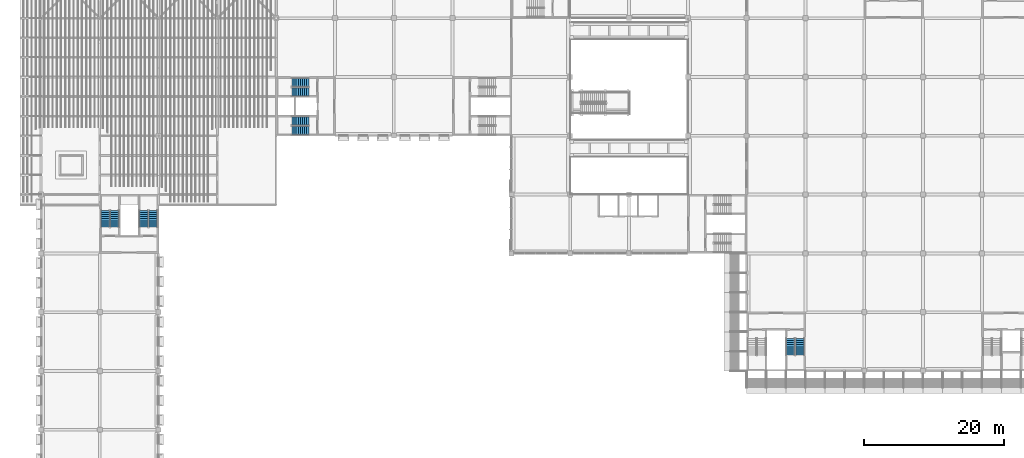
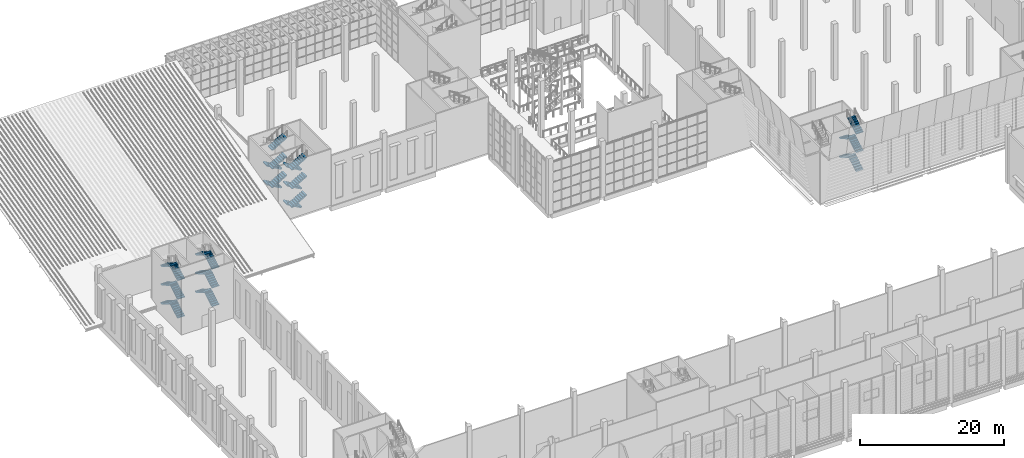
# One storey, part 55 of 114: 28 stair flights, 5 elements without a shape of their own.
"""IFC4 building model written with IfcOpenShell, lengths in metres."""

from ifc_helpers import new_model, si_unit, direction, frame, origin, place, context, subcontext, project, spatial, polyline, outline, extrude, material, type_object, element, aggregate, save


model = new_model("IFC4")

# Units and contexts
model_context = context("Model", 3, precision=1e-05, world=origin(), true_north=direction((0.0, 1.0)))
body_context = subcontext(model_context, "Body", "Model", "MODEL_VIEW")
ifc_project = project(units=[si_unit("LENGTHUNIT", "METRE"), si_unit("AREAUNIT", "SQUARE_METRE"), si_unit("VOLUMEUNIT", "CUBIC_METRE"), si_unit("PLANEANGLEUNIT", "RADIAN"), si_unit("MASSUNIT", "GRAM", prefix="KILO")], contexts=[model_context])

# Site, building, storey
site_placement = place(None, origin())
site = spatial("IfcSite", under=ifc_project, at=site_placement, CompositionType="ELEMENT")
building_placement = place(site_placement, origin())
building = spatial("IfcBuilding", under=site, at=building_placement, Name="Almond Square Museum", CompositionType="ELEMENT")
storey_placement = place(building_placement, frame((0.0, 0.0, 10.5)))
storey = spatial("IfcBuildingStorey", under=building, at=storey_placement, Name="L02", CompositionType="ELEMENT", Elevation=10.5)

# Stair, stair flights
ifc_material_1 = material(Name="Concrete C40/50", Category="concrete")
stair_type = type_object("IfcStairType", Name="Exit stair 54 risers of 176 mm", PredefinedType="HALF_TURN_STAIR", material=ifc_material_1)
stair_1_placement = place(storey_placement, origin())
stair_1 = element("IfcStair", 1, at=stair_1_placement, inside=storey, type_object=stair_type, Name="L02 stair H1-2", PredefinedType="HALF_TURN_STAIR")
ifc_material_2 = material(Name="Concrete C40/50", Category="concrete")
stair_flight_type = type_object("IfcStairFlightType", Name="Concrete flight", PredefinedType="STRAIGHT", material=ifc_material_2)
stair_flight_1_placement = place(storey_placement, frame((114.425048828125, 52.64990234375, 1.583251953125), z_axis=(0.0, 0.0, 1.0), x_axis=(0.0, 1.0, 0.0)))
stair_flight_1 = element("IfcStairFlight", 2, at=stair_flight_1_placement, type_object=stair_flight_type, Name="ST-02 flight 2", NumberOfRisers=9, NumberOfTreads=8, PredefinedType="STRAIGHT", RiserHeight=0.175925926, TreadLength=0.3, context=body_context, shape_type="SweptSolid", body=[
    extrude(outline(polyline([(0.0, 0.0), (0.0, 0.176025390625), (0.300048828125, 0.176025390625), (0.300048828125, 0.351806640625), (0.60009765625, 0.351806640625), (0.60009765625, 0.52783203125), (0.89990234375, 0.52783203125), (0.89990234375, 0.70361328125), (1.199951171875, 0.70361328125), (1.199951171875, 0.879638671875), (1.5, 0.879638671875), (1.5, 1.0556640625), (1.800048828125, 1.0556640625), (1.800048828125, 1.2314453125), (2.10009765625, 1.2314453125), (2.10009765625, 1.407470703125), (2.39990234375, 1.407470703125), (2.39990234375, 1.583251953125), (2.39990234375, 1.233642578125), (0.29638671875, 0.0), (0.0, 0.0)])), frame((0.0, 0.574951171875, 0.0), z_axis=(0.0, -1.0, 0.0), x_axis=(1.0, 0.0, 0.0)), (0.0, 0.0, 1.0), 1.14990234375),
])
stair_flight_2_placement = place(storey_placement, frame((113.074951171875, 55.050048828125, 3.166748046875), z_axis=(0.0, 0.0, 1.0), x_axis=(0.0, -1.0, 0.0)))
stair_flight_2 = element("IfcStairFlight", 3, at=stair_flight_2_placement, type_object=stair_flight_type, Name="ST-02 flight 3", NumberOfRisers=9, NumberOfTreads=8, PredefinedType="STRAIGHT", RiserHeight=0.175925926, TreadLength=0.3, context=body_context, shape_type="SweptSolid", body=[
    extrude(outline(polyline([(0.0, 0.0), (0.0, 0.176025390625), (0.300048828125, 0.176025390625), (0.300048828125, 0.351806640625), (0.60009765625, 0.351806640625), (0.60009765625, 0.52783203125), (0.89990234375, 0.52783203125), (0.89990234375, 0.70361328125), (1.199951171875, 0.70361328125), (1.199951171875, 0.879638671875), (1.5, 0.879638671875), (1.5, 1.0556640625), (1.800048828125, 1.0556640625), (1.800048828125, 1.2314453125), (2.10009765625, 1.2314453125), (2.10009765625, 1.407470703125), (2.39990234375, 1.407470703125), (2.39990234375, 1.583251953125), (2.39990234375, 1.233642578125), (0.29638671875, 0.0), (0.0, 0.0)])), frame((0.0, 0.574951171875, 0.0), z_axis=(0.0, -1.0, 0.0), x_axis=(1.0, 0.0, 0.0)), (0.0, 0.0, 1.0), 1.14990234375),
])
stair_flight_3_placement = place(storey_placement, frame((114.425048828125, 52.64990234375, 4.75), z_axis=(0.0, 0.0, 1.0), x_axis=(0.0, 1.0, 0.0)))
stair_flight_3 = element("IfcStairFlight", 4, at=stair_flight_3_placement, type_object=stair_flight_type, Name="ST-02 flight 4", NumberOfRisers=9, NumberOfTreads=8, PredefinedType="STRAIGHT", RiserHeight=0.175925926, TreadLength=0.3, context=body_context, shape_type="SweptSolid", body=[
    extrude(outline(polyline([(0.0, 0.0), (0.0, 0.176025390625), (0.300048828125, 0.176025390625), (0.300048828125, 0.351806640625), (0.60009765625, 0.351806640625), (0.60009765625, 0.52783203125), (0.89990234375, 0.52783203125), (0.89990234375, 0.70361328125), (1.199951171875, 0.70361328125), (1.199951171875, 0.879638671875), (1.5, 0.879638671875), (1.5, 1.0556640625), (1.800048828125, 1.0556640625), (1.800048828125, 1.2314453125), (2.10009765625, 1.2314453125), (2.10009765625, 1.407470703125), (2.39990234375, 1.407470703125), (2.39990234375, 1.583251953125), (2.39990234375, 1.233642578125), (0.29638671875, 0.0), (0.0, 0.0)])), frame((0.0, 0.574951171875, 0.0), z_axis=(0.0, -1.0, 0.0), x_axis=(1.0, 0.0, 0.0)), (0.0, 0.0, 1.0), 1.14990234375),
])
stair_flight_4_placement = place(storey_placement, frame((113.074951171875, 55.050048828125, 6.333251953125), z_axis=(0.0, 0.0, 1.0), x_axis=(0.0, -1.0, 0.0)))
stair_flight_4 = element("IfcStairFlight", 5, at=stair_flight_4_placement, type_object=stair_flight_type, Name="ST-02 flight 5", NumberOfRisers=9, NumberOfTreads=8, PredefinedType="STRAIGHT", RiserHeight=0.175925926, TreadLength=0.3, context=body_context, shape_type="SweptSolid", body=[
    extrude(outline(polyline([(0.0, 0.0), (0.0, 0.176025390625), (0.300048828125, 0.176025390625), (0.300048828125, 0.351806640625), (0.60009765625, 0.351806640625), (0.60009765625, 0.52783203125), (0.89990234375, 0.52783203125), (0.89990234375, 0.70361328125), (1.199951171875, 0.70361328125), (1.199951171875, 0.879638671875), (1.5, 0.879638671875), (1.5, 1.0556640625), (1.800048828125, 1.0556640625), (1.800048828125, 1.2314453125), (2.10009765625, 1.2314453125), (2.10009765625, 1.407470703125), (2.39990234375, 1.407470703125), (2.39990234375, 1.583251953125), (2.39990234375, 1.233642578125), (0.29638671875, 0.0), (0.0, 0.0)])), frame((0.0, 0.574951171875, 0.0), z_axis=(0.0, -1.0, 0.0), x_axis=(1.0, 0.0, 0.0)), (0.0, 0.0, 1.0), 1.14990234375),
])
stair_flight_5_placement = place(storey_placement, frame((114.425048828125, 52.64990234375, 7.916748046875), z_axis=(0.0, 0.0, 1.0), x_axis=(0.0, 1.0, 0.0)))
stair_flight_5 = element("IfcStairFlight", 6, at=stair_flight_5_placement, type_object=stair_flight_type, Name="ST-02 flight 6", NumberOfRisers=9, NumberOfTreads=8, PredefinedType="STRAIGHT", RiserHeight=0.175925926, TreadLength=0.3, context=body_context, shape_type="SweptSolid", body=[
    extrude(outline(polyline([(0.0, 0.0), (0.0, 0.176025390625), (0.300048828125, 0.176025390625), (0.300048828125, 0.351806640625), (0.60009765625, 0.351806640625), (0.60009765625, 0.52783203125), (0.89990234375, 0.52783203125), (0.89990234375, 0.70361328125), (1.199951171875, 0.70361328125), (1.199951171875, 0.879638671875), (1.5, 0.879638671875), (1.5, 1.0556640625), (1.800048828125, 1.0556640625), (1.800048828125, 1.2314453125), (2.10009765625, 1.2314453125), (2.10009765625, 1.407470703125), (2.39990234375, 1.407470703125), (2.39990234375, 1.583251953125), (2.39990234375, 1.233642578125), (0.29638671875, 0.0), (0.0, 0.0)])), frame((0.0, 0.574951171875, 0.0), z_axis=(0.0, -1.0, 0.0), x_axis=(1.0, 0.0, 0.0)), (0.0, 0.0, 1.0), 1.14990234375),
])
aggregate(stair_1, [stair_flight_1, stair_flight_2, stair_flight_3, stair_flight_4, stair_flight_5])

stair_2_placement = place(storey_placement, origin())
stair_2 = element("IfcStair", 7, at=stair_2_placement, inside=storey, type_object=stair_type, Name="L02 stair N1-1", PredefinedType="HALF_TURN_STAIR")
stair_flight_6_placement = place(storey_placement, frame((44.25, 86.125, 0.0), z_axis=(0.0, 0.0, 1.0), x_axis=(-1.0, 0.0, 0.0)))
stair_flight_6 = element("IfcStairFlight", 8, at=stair_flight_6_placement, type_object=stair_flight_type, Name="ST-17 flight 1", NumberOfRisers=9, NumberOfTreads=8, PredefinedType="STRAIGHT", RiserHeight=0.175925926, TreadLength=0.3, context=body_context, shape_type="SweptSolid", body=[
    extrude(outline(polyline([(0.0, 0.0), (0.0, 0.176025390625), (0.300048828125, 0.176025390625), (0.300048828125, 0.351806640625), (0.60009765625, 0.351806640625), (0.60009765625, 0.52783203125), (0.89990234375, 0.52783203125), (0.89990234375, 0.70361328125), (1.199951171875, 0.70361328125), (1.199951171875, 0.879638671875), (1.5, 0.879638671875), (1.5, 1.0556640625), (1.800048828125, 1.0556640625), (1.800048828125, 1.2314453125), (2.10009765625, 1.2314453125), (2.10009765625, 1.407470703125), (2.39990234375, 1.407470703125), (2.39990234375, 1.583251953125), (2.39990234375, 1.233642578125), (0.29638671875, 0.0), (0.0, 0.0)])), frame((0.0, 0.574951171875, 0.0), z_axis=(0.0, -1.0, 0.0), x_axis=(1.0, 0.0, 0.0)), (0.0, 0.0, 1.0), 1.14990234375),
])
stair_flight_7_placement = place(storey_placement, frame((41.85009765625, 84.77490234375, 1.583251953125), z_axis=(0.0, 0.0, 1.0), x_axis=(1.0, 0.0, 0.0)))
stair_flight_7 = element("IfcStairFlight", 9, at=stair_flight_7_placement, type_object=stair_flight_type, Name="ST-17 flight 2", NumberOfRisers=9, NumberOfTreads=8, PredefinedType="STRAIGHT", RiserHeight=0.175925926, TreadLength=0.3, context=body_context, shape_type="SweptSolid", body=[
    extrude(outline(polyline([(0.0, 0.0), (0.0, 0.176025390625), (0.300048828125, 0.176025390625), (0.300048828125, 0.351806640625), (0.60009765625, 0.351806640625), (0.60009765625, 0.52783203125), (0.89990234375, 0.52783203125), (0.89990234375, 0.70361328125), (1.199951171875, 0.70361328125), (1.199951171875, 0.879638671875), (1.5, 0.879638671875), (1.5, 1.0556640625), (1.800048828125, 1.0556640625), (1.800048828125, 1.2314453125), (2.10009765625, 1.2314453125), (2.10009765625, 1.407470703125), (2.39990234375, 1.407470703125), (2.39990234375, 1.583251953125), (2.39990234375, 1.233642578125), (0.29638671875, 0.0), (0.0, 0.0)])), frame((0.0, 0.574951171875, 0.0), z_axis=(0.0, -1.0, 0.0), x_axis=(1.0, 0.0, 0.0)), (0.0, 0.0, 1.0), 1.14990234375),
])
stair_flight_8_placement = place(storey_placement, frame((44.25, 86.125, 3.166748046875), z_axis=(0.0, 0.0, 1.0), x_axis=(-1.0, 0.0, 0.0)))
stair_flight_8 = element("IfcStairFlight", 10, at=stair_flight_8_placement, type_object=stair_flight_type, Name="ST-17 flight 3", NumberOfRisers=9, NumberOfTreads=8, PredefinedType="STRAIGHT", RiserHeight=0.175925926, TreadLength=0.3, context=body_context, shape_type="SweptSolid", body=[
    extrude(outline(polyline([(0.0, 0.0), (0.0, 0.176025390625), (0.300048828125, 0.176025390625), (0.300048828125, 0.351806640625), (0.60009765625, 0.351806640625), (0.60009765625, 0.52783203125), (0.89990234375, 0.52783203125), (0.89990234375, 0.70361328125), (1.199951171875, 0.70361328125), (1.199951171875, 0.879638671875), (1.5, 0.879638671875), (1.5, 1.0556640625), (1.800048828125, 1.0556640625), (1.800048828125, 1.2314453125), (2.10009765625, 1.2314453125), (2.10009765625, 1.407470703125), (2.39990234375, 1.407470703125), (2.39990234375, 1.583251953125), (2.39990234375, 1.233642578125), (0.29638671875, 0.0), (0.0, 0.0)])), frame((0.0, 0.574951171875, 0.0), z_axis=(0.0, -1.0, 0.0), x_axis=(1.0, 0.0, 0.0)), (0.0, 0.0, 1.0), 1.14990234375),
])
stair_flight_9_placement = place(storey_placement, frame((41.85009765625, 84.77490234375, 4.75), z_axis=(0.0, 0.0, 1.0), x_axis=(1.0, 0.0, 0.0)))
stair_flight_9 = element("IfcStairFlight", 11, at=stair_flight_9_placement, type_object=stair_flight_type, Name="ST-17 flight 4", NumberOfRisers=9, NumberOfTreads=8, PredefinedType="STRAIGHT", RiserHeight=0.175925926, TreadLength=0.3, context=body_context, shape_type="SweptSolid", body=[
    extrude(outline(polyline([(0.0, 0.0), (0.0, 0.176025390625), (0.300048828125, 0.176025390625), (0.300048828125, 0.351806640625), (0.60009765625, 0.351806640625), (0.60009765625, 0.52783203125), (0.89990234375, 0.52783203125), (0.89990234375, 0.70361328125), (1.199951171875, 0.70361328125), (1.199951171875, 0.879638671875), (1.5, 0.879638671875), (1.5, 1.0556640625), (1.800048828125, 1.0556640625), (1.800048828125, 1.2314453125), (2.10009765625, 1.2314453125), (2.10009765625, 1.407470703125), (2.39990234375, 1.407470703125), (2.39990234375, 1.583251953125), (2.39990234375, 1.233642578125), (0.29638671875, 0.0), (0.0, 0.0)])), frame((0.0, 0.574951171875, 0.0), z_axis=(0.0, -1.0, 0.0), x_axis=(1.0, 0.0, 0.0)), (0.0, 0.0, 1.0), 1.14990234375),
])
stair_flight_10_placement = place(storey_placement, frame((44.25, 86.125, 6.333251953125), z_axis=(0.0, 0.0, 1.0), x_axis=(-1.0, 0.0, 0.0)))
stair_flight_10 = element("IfcStairFlight", 12, at=stair_flight_10_placement, type_object=stair_flight_type, Name="ST-17 flight 5", NumberOfRisers=9, NumberOfTreads=8, PredefinedType="STRAIGHT", RiserHeight=0.175925926, TreadLength=0.3, context=body_context, shape_type="SweptSolid", body=[
    extrude(outline(polyline([(0.0, 0.0), (0.0, 0.176025390625), (0.300048828125, 0.176025390625), (0.300048828125, 0.351806640625), (0.60009765625, 0.351806640625), (0.60009765625, 0.52783203125), (0.89990234375, 0.52783203125), (0.89990234375, 0.70361328125), (1.199951171875, 0.70361328125), (1.199951171875, 0.879638671875), (1.5, 0.879638671875), (1.5, 1.0556640625), (1.800048828125, 1.0556640625), (1.800048828125, 1.2314453125), (2.10009765625, 1.2314453125), (2.10009765625, 1.407470703125), (2.39990234375, 1.407470703125), (2.39990234375, 1.583251953125), (2.39990234375, 1.233642578125), (0.29638671875, 0.0), (0.0, 0.0)])), frame((0.0, 0.574951171875, 0.0), z_axis=(0.0, -1.0, 0.0), x_axis=(1.0, 0.0, 0.0)), (0.0, 0.0, 1.0), 1.14990234375),
])
stair_flight_11_placement = place(storey_placement, frame((41.85009765625, 84.77490234375, 7.916748046875), z_axis=(0.0, 0.0, 1.0), x_axis=(1.0, 0.0, 0.0)))
stair_flight_11 = element("IfcStairFlight", 13, at=stair_flight_11_placement, type_object=stair_flight_type, Name="ST-17 flight 6", NumberOfRisers=9, NumberOfTreads=8, PredefinedType="STRAIGHT", RiserHeight=0.175925926, TreadLength=0.3, context=body_context, shape_type="SweptSolid", body=[
    extrude(outline(polyline([(0.0, 0.0), (0.0, 0.176025390625), (0.300048828125, 0.176025390625), (0.300048828125, 0.351806640625), (0.60009765625, 0.351806640625), (0.60009765625, 0.52783203125), (0.89990234375, 0.52783203125), (0.89990234375, 0.70361328125), (1.199951171875, 0.70361328125), (1.199951171875, 0.879638671875), (1.5, 0.879638671875), (1.5, 1.0556640625), (1.800048828125, 1.0556640625), (1.800048828125, 1.2314453125), (2.10009765625, 1.2314453125), (2.10009765625, 1.407470703125), (2.39990234375, 1.407470703125), (2.39990234375, 1.583251953125), (2.39990234375, 1.233642578125), (0.29638671875, 0.0), (0.0, 0.0)])), frame((0.0, 0.574951171875, 0.0), z_axis=(0.0, -1.0, 0.0), x_axis=(1.0, 0.0, 0.0)), (0.0, 0.0, 1.0), 1.14990234375),
])
aggregate(stair_2, [stair_flight_6, stair_flight_7, stair_flight_8, stair_flight_9, stair_flight_10, stair_flight_11])

stair_3_placement = place(storey_placement, origin())
stair_3 = element("IfcStair", 14, at=stair_3_placement, inside=storey, type_object=stair_type, Name="L02 stair N1-2", PredefinedType="HALF_TURN_STAIR")
stair_flight_12_placement = place(storey_placement, frame((44.25, 91.625, 0.0), z_axis=(0.0, 0.0, 1.0), x_axis=(-1.0, 0.0, 0.0)))
stair_flight_12 = element("IfcStairFlight", 15, at=stair_flight_12_placement, type_object=stair_flight_type, Name="ST-18 flight 1", NumberOfRisers=9, NumberOfTreads=8, PredefinedType="STRAIGHT", RiserHeight=0.175925926, TreadLength=0.3, context=body_context, shape_type="SweptSolid", body=[
    extrude(outline(polyline([(0.0, 0.0), (0.0, 0.176025390625), (0.300048828125, 0.176025390625), (0.300048828125, 0.351806640625), (0.60009765625, 0.351806640625), (0.60009765625, 0.52783203125), (0.89990234375, 0.52783203125), (0.89990234375, 0.70361328125), (1.199951171875, 0.70361328125), (1.199951171875, 0.879638671875), (1.5, 0.879638671875), (1.5, 1.0556640625), (1.800048828125, 1.0556640625), (1.800048828125, 1.2314453125), (2.10009765625, 1.2314453125), (2.10009765625, 1.407470703125), (2.39990234375, 1.407470703125), (2.39990234375, 1.583251953125), (2.39990234375, 1.233642578125), (0.29638671875, 0.0), (0.0, 0.0)])), frame((0.0, 0.574951171875, 0.0), z_axis=(0.0, -1.0, 0.0), x_axis=(1.0, 0.0, 0.0)), (0.0, 0.0, 1.0), 1.14990234375),
])
stair_flight_13_placement = place(storey_placement, frame((41.85009765625, 90.27490234375, 1.583251953125), z_axis=(0.0, 0.0, 1.0), x_axis=(1.0, 0.0, 0.0)))
stair_flight_13 = element("IfcStairFlight", 16, at=stair_flight_13_placement, type_object=stair_flight_type, Name="ST-18 flight 2", NumberOfRisers=9, NumberOfTreads=8, PredefinedType="STRAIGHT", RiserHeight=0.175925926, TreadLength=0.3, context=body_context, shape_type="SweptSolid", body=[
    extrude(outline(polyline([(0.0, 0.0), (0.0, 0.176025390625), (0.300048828125, 0.176025390625), (0.300048828125, 0.351806640625), (0.60009765625, 0.351806640625), (0.60009765625, 0.52783203125), (0.89990234375, 0.52783203125), (0.89990234375, 0.70361328125), (1.199951171875, 0.70361328125), (1.199951171875, 0.879638671875), (1.5, 0.879638671875), (1.5, 1.0556640625), (1.800048828125, 1.0556640625), (1.800048828125, 1.2314453125), (2.10009765625, 1.2314453125), (2.10009765625, 1.407470703125), (2.39990234375, 1.407470703125), (2.39990234375, 1.583251953125), (2.39990234375, 1.233642578125), (0.29638671875, 0.0), (0.0, 0.0)])), frame((0.0, 0.574951171875, 0.0), z_axis=(0.0, -1.0, 0.0), x_axis=(1.0, 0.0, 0.0)), (0.0, 0.0, 1.0), 1.14990234375),
])
stair_flight_14_placement = place(storey_placement, frame((44.25, 91.625, 3.166748046875), z_axis=(0.0, 0.0, 1.0), x_axis=(-1.0, 0.0, 0.0)))
stair_flight_14 = element("IfcStairFlight", 17, at=stair_flight_14_placement, type_object=stair_flight_type, Name="ST-18 flight 3", NumberOfRisers=9, NumberOfTreads=8, PredefinedType="STRAIGHT", RiserHeight=0.175925926, TreadLength=0.3, context=body_context, shape_type="SweptSolid", body=[
    extrude(outline(polyline([(0.0, 0.0), (0.0, 0.176025390625), (0.300048828125, 0.176025390625), (0.300048828125, 0.351806640625), (0.60009765625, 0.351806640625), (0.60009765625, 0.52783203125), (0.89990234375, 0.52783203125), (0.89990234375, 0.70361328125), (1.199951171875, 0.70361328125), (1.199951171875, 0.879638671875), (1.5, 0.879638671875), (1.5, 1.0556640625), (1.800048828125, 1.0556640625), (1.800048828125, 1.2314453125), (2.10009765625, 1.2314453125), (2.10009765625, 1.407470703125), (2.39990234375, 1.407470703125), (2.39990234375, 1.583251953125), (2.39990234375, 1.233642578125), (0.29638671875, 0.0), (0.0, 0.0)])), frame((0.0, 0.574951171875, 0.0), z_axis=(0.0, -1.0, 0.0), x_axis=(1.0, 0.0, 0.0)), (0.0, 0.0, 1.0), 1.14990234375),
])
stair_flight_15_placement = place(storey_placement, frame((41.85009765625, 90.27490234375, 4.75), z_axis=(0.0, 0.0, 1.0), x_axis=(1.0, 0.0, 0.0)))
stair_flight_15 = element("IfcStairFlight", 18, at=stair_flight_15_placement, type_object=stair_flight_type, Name="ST-18 flight 4", NumberOfRisers=9, NumberOfTreads=8, PredefinedType="STRAIGHT", RiserHeight=0.175925926, TreadLength=0.3, context=body_context, shape_type="SweptSolid", body=[
    extrude(outline(polyline([(0.0, 0.0), (0.0, 0.176025390625), (0.300048828125, 0.176025390625), (0.300048828125, 0.351806640625), (0.60009765625, 0.351806640625), (0.60009765625, 0.52783203125), (0.89990234375, 0.52783203125), (0.89990234375, 0.70361328125), (1.199951171875, 0.70361328125), (1.199951171875, 0.879638671875), (1.5, 0.879638671875), (1.5, 1.0556640625), (1.800048828125, 1.0556640625), (1.800048828125, 1.2314453125), (2.10009765625, 1.2314453125), (2.10009765625, 1.407470703125), (2.39990234375, 1.407470703125), (2.39990234375, 1.583251953125), (2.39990234375, 1.233642578125), (0.29638671875, 0.0), (0.0, 0.0)])), frame((0.0, 0.574951171875, 0.0), z_axis=(0.0, -1.0, 0.0), x_axis=(1.0, 0.0, 0.0)), (0.0, 0.0, 1.0), 1.14990234375),
])
stair_flight_16_placement = place(storey_placement, frame((41.85009765625, 90.27490234375, 7.916748046875), z_axis=(0.0, 0.0, 1.0), x_axis=(1.0, 0.0, 0.0)))
stair_flight_16 = element("IfcStairFlight", 19, at=stair_flight_16_placement, type_object=stair_flight_type, Name="ST-18 flight 6", NumberOfRisers=9, NumberOfTreads=8, PredefinedType="STRAIGHT", RiserHeight=0.175925926, TreadLength=0.3, context=body_context, shape_type="SweptSolid", body=[
    extrude(outline(polyline([(0.0, 0.0), (0.0, 0.176025390625), (0.300048828125, 0.176025390625), (0.300048828125, 0.351806640625), (0.60009765625, 0.351806640625), (0.60009765625, 0.52783203125), (0.89990234375, 0.52783203125), (0.89990234375, 0.70361328125), (1.199951171875, 0.70361328125), (1.199951171875, 0.879638671875), (1.5, 0.879638671875), (1.5, 1.0556640625), (1.800048828125, 1.0556640625), (1.800048828125, 1.2314453125), (2.10009765625, 1.2314453125), (2.10009765625, 1.407470703125), (2.39990234375, 1.407470703125), (2.39990234375, 1.583251953125), (2.39990234375, 1.233642578125), (0.29638671875, 0.0), (0.0, 0.0)])), frame((0.0, 0.574951171875, 0.0), z_axis=(0.0, -1.0, 0.0), x_axis=(1.0, 0.0, 0.0)), (0.0, 0.0, 1.0), 1.14990234375),
])
aggregate(stair_3, [stair_flight_12, stair_flight_13, stair_flight_14, stair_flight_15, stair_flight_16])

stair_4_placement = place(storey_placement, origin())
stair_4 = element("IfcStair", 20, at=stair_4_placement, inside=storey, type_object=stair_type, Name="L02 stair W2-1", PredefinedType="HALF_TURN_STAIR")
stair_flight_17_placement = place(storey_placement, frame((16.52490234375, 70.949951171875, 0.0), z_axis=(0.0, 0.0, 1.0), x_axis=(0.0, 1.0, 0.0)))
stair_flight_17 = element("IfcStairFlight", 21, at=stair_flight_17_placement, type_object=stair_flight_type, Name="ST-23 flight 1", NumberOfRisers=9, NumberOfTreads=8, PredefinedType="STRAIGHT", RiserHeight=0.175925926, TreadLength=0.3, context=body_context, shape_type="SweptSolid", body=[
    extrude(outline(polyline([(0.0, 0.0), (0.0, 0.176025390625), (0.300048828125, 0.176025390625), (0.300048828125, 0.351806640625), (0.60009765625, 0.351806640625), (0.60009765625, 0.52783203125), (0.89990234375, 0.52783203125), (0.89990234375, 0.70361328125), (1.199951171875, 0.70361328125), (1.199951171875, 0.879638671875), (1.5, 0.879638671875), (1.5, 1.0556640625), (1.800048828125, 1.0556640625), (1.800048828125, 1.2314453125), (2.10009765625, 1.2314453125), (2.10009765625, 1.407470703125), (2.39990234375, 1.407470703125), (2.39990234375, 1.583251953125), (2.39990234375, 1.233642578125), (0.29638671875, 0.0), (0.0, 0.0)])), frame((0.0, 0.574951171875, 0.0), z_axis=(0.0, -1.0, 0.0), x_axis=(1.0, 0.0, 0.0)), (0.0, 0.0, 1.0), 1.14990234375),
])
stair_flight_18_placement = place(storey_placement, frame((15.175048828125, 73.35009765625, 1.583251953125), z_axis=(0.0, 0.0, 1.0), x_axis=(0.0, -1.0, 0.0)))
stair_flight_18 = element("IfcStairFlight", 22, at=stair_flight_18_placement, type_object=stair_flight_type, Name="ST-23 flight 2", NumberOfRisers=9, NumberOfTreads=8, PredefinedType="STRAIGHT", RiserHeight=0.175925926, TreadLength=0.3, context=body_context, shape_type="SweptSolid", body=[
    extrude(outline(polyline([(0.0, 0.0), (0.0, 0.176025390625), (0.300048828125, 0.176025390625), (0.300048828125, 0.351806640625), (0.60009765625, 0.351806640625), (0.60009765625, 0.52783203125), (0.89990234375, 0.52783203125), (0.89990234375, 0.70361328125), (1.199951171875, 0.70361328125), (1.199951171875, 0.879638671875), (1.5, 0.879638671875), (1.5, 1.0556640625), (1.800048828125, 1.0556640625), (1.800048828125, 1.2314453125), (2.10009765625, 1.2314453125), (2.10009765625, 1.407470703125), (2.39990234375, 1.407470703125), (2.39990234375, 1.583251953125), (2.39990234375, 1.233642578125), (0.29638671875, 0.0), (0.0, 0.0)])), frame((0.0, 0.574951171875, 0.0), z_axis=(0.0, -1.0, 0.0), x_axis=(1.0, 0.0, 0.0)), (0.0, 0.0, 1.0), 1.14990234375),
])
stair_flight_19_placement = place(storey_placement, frame((16.52490234375, 70.949951171875, 3.166748046875), z_axis=(0.0, 0.0, 1.0), x_axis=(0.0, 1.0, 0.0)))
stair_flight_19 = element("IfcStairFlight", 23, at=stair_flight_19_placement, type_object=stair_flight_type, Name="ST-23 flight 3", NumberOfRisers=9, NumberOfTreads=8, PredefinedType="STRAIGHT", RiserHeight=0.175925926, TreadLength=0.3, context=body_context, shape_type="SweptSolid", body=[
    extrude(outline(polyline([(0.0, 0.0), (0.0, 0.176025390625), (0.300048828125, 0.176025390625), (0.300048828125, 0.351806640625), (0.60009765625, 0.351806640625), (0.60009765625, 0.52783203125), (0.89990234375, 0.52783203125), (0.89990234375, 0.70361328125), (1.199951171875, 0.70361328125), (1.199951171875, 0.879638671875), (1.5, 0.879638671875), (1.5, 1.0556640625), (1.800048828125, 1.0556640625), (1.800048828125, 1.2314453125), (2.10009765625, 1.2314453125), (2.10009765625, 1.407470703125), (2.39990234375, 1.407470703125), (2.39990234375, 1.583251953125), (2.39990234375, 1.233642578125), (0.29638671875, 0.0), (0.0, 0.0)])), frame((0.0, 0.574951171875, 0.0), z_axis=(0.0, -1.0, 0.0), x_axis=(1.0, 0.0, 0.0)), (0.0, 0.0, 1.0), 1.14990234375),
])
stair_flight_20_placement = place(storey_placement, frame((15.175048828125, 73.35009765625, 4.75), z_axis=(0.0, 0.0, 1.0), x_axis=(0.0, -1.0, 0.0)))
stair_flight_20 = element("IfcStairFlight", 24, at=stair_flight_20_placement, type_object=stair_flight_type, Name="ST-23 flight 4", NumberOfRisers=9, NumberOfTreads=8, PredefinedType="STRAIGHT", RiserHeight=0.175925926, TreadLength=0.3, context=body_context, shape_type="SweptSolid", body=[
    extrude(outline(polyline([(0.0, 0.0), (0.0, 0.176025390625), (0.300048828125, 0.176025390625), (0.300048828125, 0.351806640625), (0.60009765625, 0.351806640625), (0.60009765625, 0.52783203125), (0.89990234375, 0.52783203125), (0.89990234375, 0.70361328125), (1.199951171875, 0.70361328125), (1.199951171875, 0.879638671875), (1.5, 0.879638671875), (1.5, 1.0556640625), (1.800048828125, 1.0556640625), (1.800048828125, 1.2314453125), (2.10009765625, 1.2314453125), (2.10009765625, 1.407470703125), (2.39990234375, 1.407470703125), (2.39990234375, 1.583251953125), (2.39990234375, 1.233642578125), (0.29638671875, 0.0), (0.0, 0.0)])), frame((0.0, 0.574951171875, 0.0), z_axis=(0.0, -1.0, 0.0), x_axis=(1.0, 0.0, 0.0)), (0.0, 0.0, 1.0), 1.14990234375),
])
stair_flight_21_placement = place(storey_placement, frame((16.52490234375, 70.949951171875, 6.333251953125), z_axis=(0.0, 0.0, 1.0), x_axis=(0.0, 1.0, 0.0)))
stair_flight_21 = element("IfcStairFlight", 25, at=stair_flight_21_placement, type_object=stair_flight_type, Name="ST-23 flight 5", NumberOfRisers=9, NumberOfTreads=8, PredefinedType="STRAIGHT", RiserHeight=0.175925926, TreadLength=0.3, context=body_context, shape_type="SweptSolid", body=[
    extrude(outline(polyline([(0.0, 0.0), (0.0, 0.176025390625), (0.300048828125, 0.176025390625), (0.300048828125, 0.351806640625), (0.60009765625, 0.351806640625), (0.60009765625, 0.52783203125), (0.89990234375, 0.52783203125), (0.89990234375, 0.70361328125), (1.199951171875, 0.70361328125), (1.199951171875, 0.879638671875), (1.5, 0.879638671875), (1.5, 1.0556640625), (1.800048828125, 1.0556640625), (1.800048828125, 1.2314453125), (2.10009765625, 1.2314453125), (2.10009765625, 1.407470703125), (2.39990234375, 1.407470703125), (2.39990234375, 1.583251953125), (2.39990234375, 1.233642578125), (0.29638671875, 0.0), (0.0, 0.0)])), frame((0.0, 0.574951171875, 0.0), z_axis=(0.0, -1.0, 0.0), x_axis=(1.0, 0.0, 0.0)), (0.0, 0.0, 1.0), 1.14990234375),
])
stair_flight_22_placement = place(storey_placement, frame((15.175048828125, 73.35009765625, 7.916748046875), z_axis=(0.0, 0.0, 1.0), x_axis=(0.0, -1.0, 0.0)))
stair_flight_22 = element("IfcStairFlight", 26, at=stair_flight_22_placement, type_object=stair_flight_type, Name="ST-23 flight 6", NumberOfRisers=9, NumberOfTreads=8, PredefinedType="STRAIGHT", RiserHeight=0.175925926, TreadLength=0.3, context=body_context, shape_type="SweptSolid", body=[
    extrude(outline(polyline([(0.0, 0.0), (0.0, 0.176025390625), (0.300048828125, 0.176025390625), (0.300048828125, 0.351806640625), (0.60009765625, 0.351806640625), (0.60009765625, 0.52783203125), (0.89990234375, 0.52783203125), (0.89990234375, 0.70361328125), (1.199951171875, 0.70361328125), (1.199951171875, 0.879638671875), (1.5, 0.879638671875), (1.5, 1.0556640625), (1.800048828125, 1.0556640625), (1.800048828125, 1.2314453125), (2.10009765625, 1.2314453125), (2.10009765625, 1.407470703125), (2.39990234375, 1.407470703125), (2.39990234375, 1.583251953125), (2.39990234375, 1.233642578125), (0.29638671875, 0.0), (0.0, 0.0)])), frame((0.0, 0.574951171875, 0.0), z_axis=(0.0, -1.0, 0.0), x_axis=(1.0, 0.0, 0.0)), (0.0, 0.0, 1.0), 1.14990234375),
])
aggregate(stair_4, [stair_flight_17, stair_flight_18, stair_flight_19, stair_flight_20, stair_flight_21, stair_flight_22])

stair_5_placement = place(storey_placement, origin())
stair_5 = element("IfcStair", 27, at=stair_5_placement, inside=storey, type_object=stair_type, Name="L02 stair W2-2", PredefinedType="HALF_TURN_STAIR")
stair_flight_23_placement = place(storey_placement, frame((22.02490234375, 70.949951171875, 0.0), z_axis=(0.0, 0.0, 1.0), x_axis=(0.0, 1.0, 0.0)))
stair_flight_23 = element("IfcStairFlight", 28, at=stair_flight_23_placement, type_object=stair_flight_type, Name="ST-24 flight 1", NumberOfRisers=9, NumberOfTreads=8, PredefinedType="STRAIGHT", RiserHeight=0.175925926, TreadLength=0.3, context=body_context, shape_type="SweptSolid", body=[
    extrude(outline(polyline([(0.0, 0.0), (0.0, 0.176025390625), (0.300048828125, 0.176025390625), (0.300048828125, 0.351806640625), (0.60009765625, 0.351806640625), (0.60009765625, 0.52783203125), (0.89990234375, 0.52783203125), (0.89990234375, 0.70361328125), (1.199951171875, 0.70361328125), (1.199951171875, 0.879638671875), (1.5, 0.879638671875), (1.5, 1.0556640625), (1.800048828125, 1.0556640625), (1.800048828125, 1.2314453125), (2.10009765625, 1.2314453125), (2.10009765625, 1.407470703125), (2.39990234375, 1.407470703125), (2.39990234375, 1.583251953125), (2.39990234375, 1.233642578125), (0.29638671875, 0.0), (0.0, 0.0)])), frame((0.0, 0.574951171875, 0.0), z_axis=(0.0, -1.0, 0.0), x_axis=(1.0, 0.0, 0.0)), (0.0, 0.0, 1.0), 1.14990234375),
])
stair_flight_24_placement = place(storey_placement, frame((20.675048828125, 73.35009765625, 1.583251953125), z_axis=(0.0, 0.0, 1.0), x_axis=(0.0, -1.0, 0.0)))
stair_flight_24 = element("IfcStairFlight", 29, at=stair_flight_24_placement, type_object=stair_flight_type, Name="ST-24 flight 2", NumberOfRisers=9, NumberOfTreads=8, PredefinedType="STRAIGHT", RiserHeight=0.175925926, TreadLength=0.3, context=body_context, shape_type="SweptSolid", body=[
    extrude(outline(polyline([(0.0, 0.0), (0.0, 0.176025390625), (0.300048828125, 0.176025390625), (0.300048828125, 0.351806640625), (0.60009765625, 0.351806640625), (0.60009765625, 0.52783203125), (0.89990234375, 0.52783203125), (0.89990234375, 0.70361328125), (1.199951171875, 0.70361328125), (1.199951171875, 0.879638671875), (1.5, 0.879638671875), (1.5, 1.0556640625), (1.800048828125, 1.0556640625), (1.800048828125, 1.2314453125), (2.10009765625, 1.2314453125), (2.10009765625, 1.407470703125), (2.39990234375, 1.407470703125), (2.39990234375, 1.583251953125), (2.39990234375, 1.233642578125), (0.29638671875, 0.0), (0.0, 0.0)])), frame((0.0, 0.574951171875, 0.0), z_axis=(0.0, -1.0, 0.0), x_axis=(1.0, 0.0, 0.0)), (0.0, 0.0, 1.0), 1.14990234375),
])
stair_flight_25_placement = place(storey_placement, frame((22.02490234375, 70.949951171875, 3.166748046875), z_axis=(0.0, 0.0, 1.0), x_axis=(0.0, 1.0, 0.0)))
stair_flight_25 = element("IfcStairFlight", 30, at=stair_flight_25_placement, type_object=stair_flight_type, Name="ST-24 flight 3", NumberOfRisers=9, NumberOfTreads=8, PredefinedType="STRAIGHT", RiserHeight=0.175925926, TreadLength=0.3, context=body_context, shape_type="SweptSolid", body=[
    extrude(outline(polyline([(0.0, 0.0), (0.0, 0.176025390625), (0.300048828125, 0.176025390625), (0.300048828125, 0.351806640625), (0.60009765625, 0.351806640625), (0.60009765625, 0.52783203125), (0.89990234375, 0.52783203125), (0.89990234375, 0.70361328125), (1.199951171875, 0.70361328125), (1.199951171875, 0.879638671875), (1.5, 0.879638671875), (1.5, 1.0556640625), (1.800048828125, 1.0556640625), (1.800048828125, 1.2314453125), (2.10009765625, 1.2314453125), (2.10009765625, 1.407470703125), (2.39990234375, 1.407470703125), (2.39990234375, 1.583251953125), (2.39990234375, 1.233642578125), (0.29638671875, 0.0), (0.0, 0.0)])), frame((0.0, 0.574951171875, 0.0), z_axis=(0.0, -1.0, 0.0), x_axis=(1.0, 0.0, 0.0)), (0.0, 0.0, 1.0), 1.14990234375),
])
stair_flight_26_placement = place(storey_placement, frame((20.675048828125, 73.35009765625, 4.75), z_axis=(0.0, 0.0, 1.0), x_axis=(0.0, -1.0, 0.0)))
stair_flight_26 = element("IfcStairFlight", 31, at=stair_flight_26_placement, type_object=stair_flight_type, Name="ST-24 flight 4", NumberOfRisers=9, NumberOfTreads=8, PredefinedType="STRAIGHT", RiserHeight=0.175925926, TreadLength=0.3, context=body_context, shape_type="SweptSolid", body=[
    extrude(outline(polyline([(0.0, 0.0), (0.0, 0.176025390625), (0.300048828125, 0.176025390625), (0.300048828125, 0.351806640625), (0.60009765625, 0.351806640625), (0.60009765625, 0.52783203125), (0.89990234375, 0.52783203125), (0.89990234375, 0.70361328125), (1.199951171875, 0.70361328125), (1.199951171875, 0.879638671875), (1.5, 0.879638671875), (1.5, 1.0556640625), (1.800048828125, 1.0556640625), (1.800048828125, 1.2314453125), (2.10009765625, 1.2314453125), (2.10009765625, 1.407470703125), (2.39990234375, 1.407470703125), (2.39990234375, 1.583251953125), (2.39990234375, 1.233642578125), (0.29638671875, 0.0), (0.0, 0.0)])), frame((0.0, 0.574951171875, 0.0), z_axis=(0.0, -1.0, 0.0), x_axis=(1.0, 0.0, 0.0)), (0.0, 0.0, 1.0), 1.14990234375),
])
stair_flight_27_placement = place(storey_placement, frame((22.02490234375, 70.949951171875, 6.333251953125), z_axis=(0.0, 0.0, 1.0), x_axis=(0.0, 1.0, 0.0)))
stair_flight_27 = element("IfcStairFlight", 32, at=stair_flight_27_placement, type_object=stair_flight_type, Name="ST-24 flight 5", NumberOfRisers=9, NumberOfTreads=8, PredefinedType="STRAIGHT", RiserHeight=0.175925926, TreadLength=0.3, context=body_context, shape_type="SweptSolid", body=[
    extrude(outline(polyline([(0.0, 0.0), (0.0, 0.176025390625), (0.300048828125, 0.176025390625), (0.300048828125, 0.351806640625), (0.60009765625, 0.351806640625), (0.60009765625, 0.52783203125), (0.89990234375, 0.52783203125), (0.89990234375, 0.70361328125), (1.199951171875, 0.70361328125), (1.199951171875, 0.879638671875), (1.5, 0.879638671875), (1.5, 1.0556640625), (1.800048828125, 1.0556640625), (1.800048828125, 1.2314453125), (2.10009765625, 1.2314453125), (2.10009765625, 1.407470703125), (2.39990234375, 1.407470703125), (2.39990234375, 1.583251953125), (2.39990234375, 1.233642578125), (0.29638671875, 0.0), (0.0, 0.0)])), frame((0.0, 0.574951171875, 0.0), z_axis=(0.0, -1.0, 0.0), x_axis=(1.0, 0.0, 0.0)), (0.0, 0.0, 1.0), 1.14990234375),
])
stair_flight_28_placement = place(storey_placement, frame((20.675048828125, 73.35009765625, 7.916748046875), z_axis=(0.0, 0.0, 1.0), x_axis=(0.0, -1.0, 0.0)))
stair_flight_28 = element("IfcStairFlight", 33, at=stair_flight_28_placement, type_object=stair_flight_type, Name="ST-24 flight 6", NumberOfRisers=9, NumberOfTreads=8, PredefinedType="STRAIGHT", RiserHeight=0.175925926, TreadLength=0.3, context=body_context, shape_type="SweptSolid", body=[
    extrude(outline(polyline([(0.0, 0.0), (0.0, 0.176025390625), (0.300048828125, 0.176025390625), (0.300048828125, 0.351806640625), (0.60009765625, 0.351806640625), (0.60009765625, 0.52783203125), (0.89990234375, 0.52783203125), (0.89990234375, 0.70361328125), (1.199951171875, 0.70361328125), (1.199951171875, 0.879638671875), (1.5, 0.879638671875), (1.5, 1.0556640625), (1.800048828125, 1.0556640625), (1.800048828125, 1.2314453125), (2.10009765625, 1.2314453125), (2.10009765625, 1.407470703125), (2.39990234375, 1.407470703125), (2.39990234375, 1.583251953125), (2.39990234375, 1.233642578125), (0.29638671875, 0.0), (0.0, 0.0)])), frame((0.0, 0.574951171875, 0.0), z_axis=(0.0, -1.0, 0.0), x_axis=(1.0, 0.0, 0.0)), (0.0, 0.0, 1.0), 1.14990234375),
])
aggregate(stair_5, [stair_flight_23, stair_flight_24, stair_flight_25, stair_flight_26, stair_flight_27, stair_flight_28])

save(model, "model.ifc")
